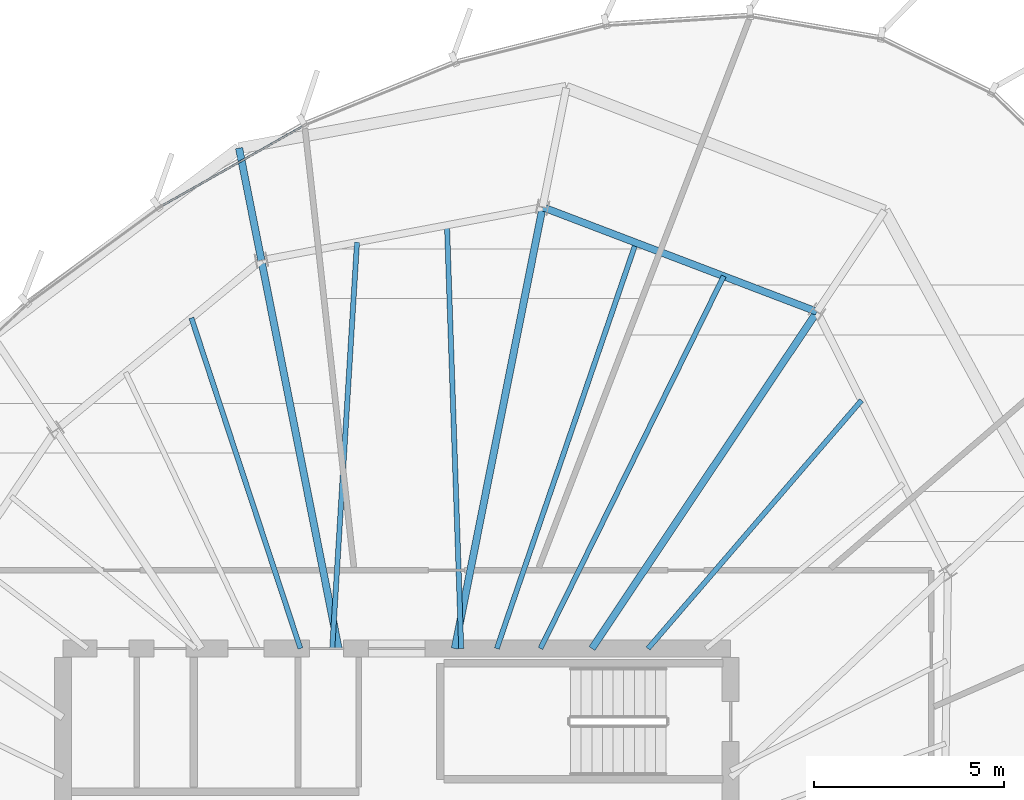
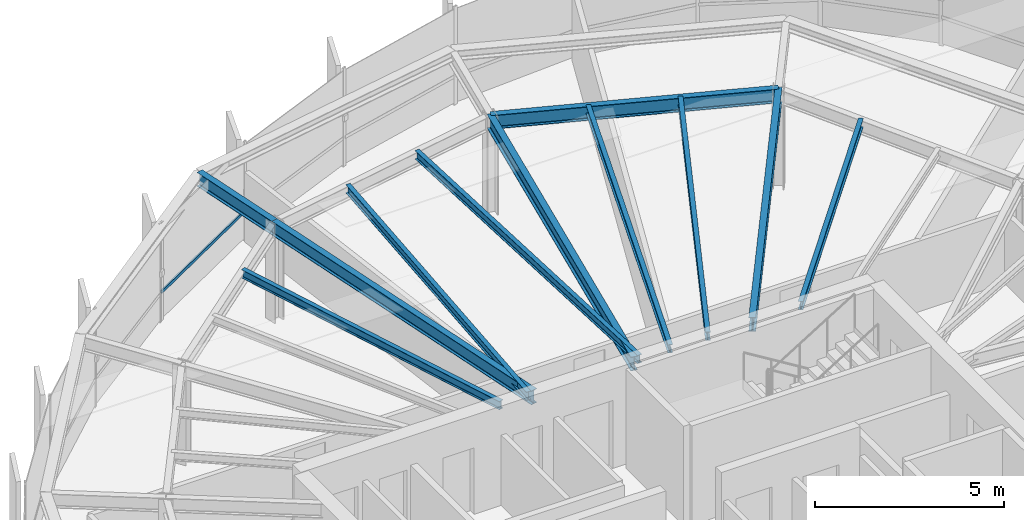
# One storey, part 21 of 33: 11 beams, 1 member, 1 element without a shape of its own.
"""IFC4 building model written with IfcOpenShell, lengths in metres."""

from ifc_helpers import new_model, si_unit, direction, frame, origin, origin_2d, place, context, subcontext, project, spatial, hollow_rectangle, i_section, extrude, source, transform, mapped, material, layer, layer_set, material_profile, profile_set, type_object, element, aggregate, save


model = new_model("IFC4")

# Units and contexts
model_context = context("Model", 3, precision=1e-05, world=origin(), true_north=direction((0.0, 1.0)))
body_context = subcontext(model_context, "Body", "Model", "MODEL_VIEW")
ifc_project = project(units=[si_unit("LENGTHUNIT", "METRE"), si_unit("AREAUNIT", "SQUARE_METRE"), si_unit("VOLUMEUNIT", "CUBIC_METRE"), si_unit("PLANEANGLEUNIT", "RADIAN"), si_unit("MASSUNIT", "GRAM", prefix="KILO"), si_unit("THERMODYNAMICTEMPERATUREUNIT", "KELVIN")], contexts=[model_context])

# Site, building, storey
site_placement = place(None, origin())
site = spatial("IfcSite", under=ifc_project, at=site_placement, CompositionType="ELEMENT")
building_placement = place(site_placement, origin())
building = spatial("IfcBuilding", under=site, at=building_placement, Name="Kethvar Cultural Tower", CompositionType="ELEMENT")
storey_placement = place(building_placement, frame((0.0, 0.0, 256.0)))
storey = spatial("IfcBuildingStorey", under=building, at=storey_placement, Name="L67", CompositionType="ELEMENT", Elevation=256.0)

# Beams
ifc_material_1 = material(Name="Steel S355J2", Category="steel")
ifc_material_profile_1 = material_profile(ifc_material_1, i_section(OverallWidth=0.18994140625, OverallDepth=0.449951171875, WebThickness=0.009521484375, FlangeThickness=0.0146484375, FilletRadius=0.02099609375, at=origin_2d()), Name="Steel S355J2 — IPE450")
ifc_profile_set_1 = profile_set([ifc_material_profile_1], Name="Steel S355J2 — IPE450")
beam_type_1 = type_object("IfcBeamType", Name="BM-IPE450", PredefinedType="BEAM", material=ifc_profile_set_1)
shared_shape_1 = source(origin(), body_context, "Body", "SweptSolid", [
    extrude(i_section(OverallWidth=0.18994140625, OverallDepth=0.449951171875, WebThickness=0.009521484375, FlangeThickness=0.0146484375, FilletRadius=0.02099609375, at=origin_2d()), origin(), (0.0, 0.0, 1.0), 10.673828125),
])
beam_1_placement = place(storey_placement, frame((51.945068359375, 35.5, 2.98291015625), z_axis=(0.555576086183, 0.831465701314, 0.0), x_axis=(-0.831465701314, 0.555576086183, 0.0)))
element("IfcBeam", 1, at=beam_1_placement, inside=storey, type_object=beam_type_1, Name="L67 Primary Radial Beam RB-03", PredefinedType="BEAM", context=body_context, shape_type="MappedRepresentation", body=[
    mapped(shared_shape_1, transform((0.0, 0.0, 0.0), scale=1.0)),
])
shared_shape_2 = source(origin(), body_context, "Body", "SweptSolid", [
    extrude(i_section(OverallWidth=0.18994140625, OverallDepth=0.449951171875, WebThickness=0.009521484375, FlangeThickness=0.0146484375, FilletRadius=0.02099609375, at=origin_2d()), origin(), (0.0, 0.0, 1.0), 11.859375),
])
beam_2_placement = place(storey_placement, frame((48.33154296875, 35.5, 2.98291015625), z_axis=(0.195094640585, 0.980784421377, 0.0), x_axis=(-0.980784421377, 0.195094640585, 0.0)))
element("IfcBeam", 2, at=beam_2_placement, inside=storey, type_object=beam_type_1, Name="L67 Primary Radial Beam RB-04", PredefinedType="BEAM", context=body_context, shape_type="MappedRepresentation", body=[
    mapped(shared_shape_2, transform((0.0, 0.0, 0.0), scale=1.0)),
])
shared_shape_3 = source(origin(), body_context, "Body", "SweptSolid", [
    extrude(i_section(OverallWidth=0.18994140625, OverallDepth=0.449951171875, WebThickness=0.009521484375, FlangeThickness=0.0146484375, FilletRadius=0.02099609375, at=origin_2d()), origin(), (0.0, 0.0, 1.0), 10.432861328125),
])
beam_3_placement = place(storey_placement, frame((45.268310546875, 35.5, 2.98291015625), z_axis=(-0.195094483249, 0.980784452673, 0.0), x_axis=(-0.980784452673, -0.195094483249, 0.0)))
element("IfcBeam", 3, at=beam_3_placement, inside=storey, type_object=beam_type_1, Name="L67 Primary Radial Beam RB-05", PredefinedType="BEAM", context=body_context, shape_type="MappedRepresentation", body=[
    mapped(shared_shape_3, transform((0.0, 0.0, 0.0), scale=1.0)),
])
ifc_material_profile_2 = material_profile(ifc_material_1, i_section(OverallWidth=0.135009765625, OverallDepth=0.27001953125, WebThickness=0.006591796875, FlangeThickness=0.01025390625, FilletRadius=0.014892578125, at=origin_2d()), Name="Steel S355J2 — IPE270")
ifc_profile_set_2 = profile_set([ifc_material_profile_2], Name="Steel S355J2 — IPE270")
beam_type_2 = type_object("IfcBeamType", Name="BM-J270", PredefinedType="JOIST", material=ifc_profile_set_2)
shared_shape_4 = source(origin(), body_context, "Body", "SweptSolid", [
    extrude(i_section(OverallWidth=0.135009765625, OverallDepth=0.27001953125, WebThickness=0.006591796875, FlangeThickness=0.01025390625, FilletRadius=0.014892578125, at=origin_2d()), origin(), (0.0, 0.0, 1.0), 8.6259765625),
])
beam_4_placement = place(storey_placement, frame((53.42333984375, 35.5, 3.072998046875), z_axis=(0.65210499689, 0.758128665222, 0.0), x_axis=(-0.758128665222, 0.65210499689, 0.0)))
element("IfcBeam", 4, at=beam_4_placement, inside=storey, type_object=beam_type_2, Name="L67 Composite Floor Joist J-02B", PredefinedType="JOIST", context=body_context, shape_type="MappedRepresentation", body=[
    mapped(shared_shape_4, transform((0.0, 0.0, 0.0), scale=1.0)),
])
shared_shape_5 = source(origin(), body_context, "Body", "SweptSolid", [
    extrude(i_section(OverallWidth=0.18994140625, OverallDepth=0.449951171875, WebThickness=0.009521484375, FlangeThickness=0.0146484375, FilletRadius=0.02099609375, at=origin_2d()), origin(), (0.0, 0.0, 1.0), 7.737548828125),
])
beam_5_placement = place(storey_placement, frame((57.875244140625, 44.375, 2.98291015625), z_axis=(-0.934388230776, 0.356256416347, 0.0), x_axis=(-0.356256416347, -0.934388230776, 0.0)))
element("IfcBeam", 5, at=beam_5_placement, inside=storey, type_object=beam_type_1, Name="L67 Column Ring Tie Beam CR-03", PredefinedType="BEAM", context=body_context, shape_type="MappedRepresentation", body=[
    mapped(shared_shape_5, transform((0.0, 0.0, 0.0), scale=1.0)),
])
shared_shape_6 = source(origin(), body_context, "Body", "SweptSolid", [
    extrude(i_section(OverallWidth=0.135009765625, OverallDepth=0.27001953125, WebThickness=0.006591796875, FlangeThickness=0.01025390625, FilletRadius=0.014892578125, at=origin_2d()), origin(), (0.0, 0.0, 1.0), 10.935791015625),
])
beam_6_placement = place(storey_placement, frame((50.5888671875, 35.5, 3.072998046875), z_axis=(0.441498236677, 0.897262117227, 0.0), x_axis=(-0.897262117227, 0.441498236677, 0.0)))
element("IfcBeam", 6, at=beam_6_placement, inside=storey, type_object=beam_type_2, Name="L67 Composite Floor Joist J-03A", PredefinedType="JOIST", context=body_context, shape_type="MappedRepresentation", body=[
    mapped(shared_shape_6, transform((0.0, 0.0, 0.0), scale=1.0)),
])
shared_shape_7 = source(origin(), body_context, "Body", "SweptSolid", [
    extrude(i_section(OverallWidth=0.135009765625, OverallDepth=0.27001953125, WebThickness=0.006591796875, FlangeThickness=0.01025390625, FilletRadius=0.014892578125, at=origin_2d()), origin(), (0.0, 0.0, 1.0), 11.304931640625),
])
beam_7_placement = place(storey_placement, frame((49.438720703125, 35.5, 3.072998046875), z_axis=(0.324179110764, 0.945995720997, 0.0), x_axis=(-0.945995720997, 0.324179110764, 0.0)))
element("IfcBeam", 7, at=beam_7_placement, inside=storey, type_object=beam_type_2, Name="L67 Composite Floor Joist J-03B", PredefinedType="JOIST", context=body_context, shape_type="MappedRepresentation", body=[
    mapped(shared_shape_7, transform((0.0, 0.0, 0.0), scale=1.0)),
])
shared_shape_8 = source(origin(), body_context, "Body", "SweptSolid", [
    extrude(i_section(OverallWidth=0.135009765625, OverallDepth=0.27001953125, WebThickness=0.006591796875, FlangeThickness=0.01025390625, FilletRadius=0.014892578125, at=origin_2d()), origin(), (0.0, 0.0, 1.0), 11.162109375),
])
beam_8_placement = place(storey_placement, frame((48.5, 35.5, 3.072998046875), z_axis=(-0.0335959409, 0.999435497046, 0.0), x_axis=(-0.999435497046, -0.0335959409, 0.0)))
element("IfcBeam", 8, at=beam_8_placement, inside=storey, type_object=beam_type_2, Name="L67 Composite Floor Joist J-04A", PredefinedType="JOIST", context=body_context, shape_type="MappedRepresentation", body=[
    mapped(shared_shape_8, transform((0.0, 0.0, 0.0), scale=1.0)),
])
shared_shape_9 = source(origin(), body_context, "Body", "SweptSolid", [
    extrude(i_section(OverallWidth=0.135009765625, OverallDepth=0.27001953125, WebThickness=0.006591796875, FlangeThickness=0.01025390625, FilletRadius=0.014892578125, at=origin_2d()), origin(), (0.0, 0.0, 1.0), 10.727783203125),
])
beam_9_placement = place(storey_placement, frame((45.10009765625, 35.5, 3.072998046875), z_axis=(0.060876395586, 0.998145312297, 0.0), x_axis=(-0.998145312297, 0.060876395586, 0.0)))
element("IfcBeam", 9, at=beam_9_placement, inside=storey, type_object=beam_type_2, Name="L67 Composite Floor Joist J-04B", PredefinedType="JOIST", context=body_context, shape_type="MappedRepresentation", body=[
    mapped(shared_shape_9, transform((0.0, 0.0, 0.0), scale=1.0)),
])
shared_shape_10 = source(origin(), body_context, "Body", "SweptSolid", [
    extrude(i_section(OverallWidth=0.135009765625, OverallDepth=0.27001953125, WebThickness=0.006591796875, FlangeThickness=0.01025390625, FilletRadius=0.014892578125, at=origin_2d()), origin(), (0.0, 0.0, 1.0), 9.17138671875),
])
beam_10_placement = place(storey_placement, frame((44.260986328125, 35.5, 3.072998046875), z_axis=(-0.313151555446, 0.949703165901, 0.0), x_axis=(-0.949703165901, -0.313151555446, 0.0)))
element("IfcBeam", 10, at=beam_10_placement, inside=storey, type_object=beam_type_2, Name="L67 Composite Floor Joist J-05A", PredefinedType="JOIST", context=body_context, shape_type="MappedRepresentation", body=[
    mapped(shared_shape_10, transform((0.0, 0.0, 0.0), scale=1.0)),
])
shared_shape_11 = source(origin(), body_context, "Body", "SweptSolid", [
    extrude(i_section(OverallWidth=0.18994140625, OverallDepth=0.449951171875, WebThickness=0.009521484375, FlangeThickness=0.0146484375, FilletRadius=0.02099609375, at=origin_2d()), origin(), (0.0, 0.0, 1.0), 3.011962890625),
])
beam_11_placement = place(storey_placement, frame((43.23291015625, 45.732421875, 2.98291015625), z_axis=(-0.195102825082, 0.980782793306, 0.0), x_axis=(-0.980782793306, -0.195102825082, 0.0)))
element("IfcBeam", 11, at=beam_11_placement, inside=storey, type_object=beam_type_1, Name="L67 Perimeter Cantilever Beam RC-05", PredefinedType="BEAM", context=body_context, shape_type="MappedRepresentation", body=[
    mapped(shared_shape_11, transform((0.0, 0.0, 0.0), scale=1.0)),
])

# Curtain wall, member
ifc_material_2 = material(Name="Aluminium 6063-T6", Category="aluminium")
ifc_layer = layer(ifc_material_2, 0.179931640625, Name="Aluminium 6063-T6", Category="aluminium")
ifc_layer_set = layer_set([ifc_layer], Name="Aluminium 6063-T6 (180 mm)")
curtain_wall_type = type_object("IfcCurtainWallType", Name="CW-SYS-05-Z56", PredefinedType="NOTDEFINED", material=ifc_layer_set)
curtain_wall_placement = place(storey_placement, origin())
curtain_wall = element("IfcCurtainWall", 12, at=curtain_wall_placement, inside=storey, type_object=curtain_wall_type, Name="L67 Curtain Wall Run 01", PredefinedType="NOTDEFINED")
ifc_material_profile_3 = material_profile(ifc_material_2, hollow_rectangle(XDim=0.050048828125, YDim=0.10009765625, WallThickness=0.00390625, at=origin_2d()), Name="Aluminium 6063-T6 — RHS100x50x4")
ifc_profile_set_3 = profile_set([ifc_material_profile_3], Name="Aluminium 6063-T6 — RHS100x50x4")
member_type = type_object("IfcMemberType", Name="CW-SYS-05-Z56-TRN", PredefinedType="USERDEFINED", material=ifc_profile_set_3)
shared_shape_12 = source(origin(), body_context, "Body", "SweptSolid", [
    extrude(hollow_rectangle(XDim=0.050048828125, YDim=0.10009765625, WallThickness=0.00390625, at=origin_2d()), origin(), (0.0, 0.0, 1.0), 4.3076171875),
])
member_placement = place(storey_placement, frame((44.3388671875, 49.27294921875, 0.949951171875), z_axis=(-0.870618779518, -0.491958271351, 0.0), x_axis=(0.491958271351, -0.870618779518, 0.0)))
member = element("IfcMember", 13, at=member_placement, type_object=member_type, Name="CW-L67-R01 Transom 6", ObjectType="TRANSOM", PredefinedType="USERDEFINED", context=body_context, shape_type="MappedRepresentation", body=[
    mapped(shared_shape_12, transform((0.0, 0.0, 0.0), scale=1.0)),
])
aggregate(curtain_wall, [member])

save(model, "model.ifc")
